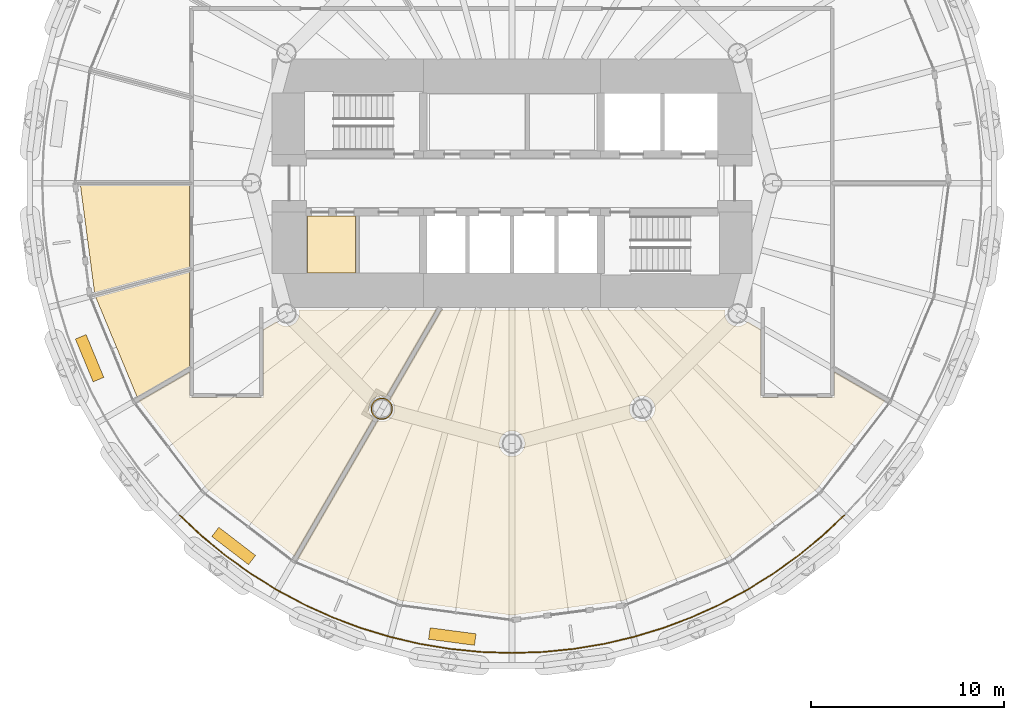
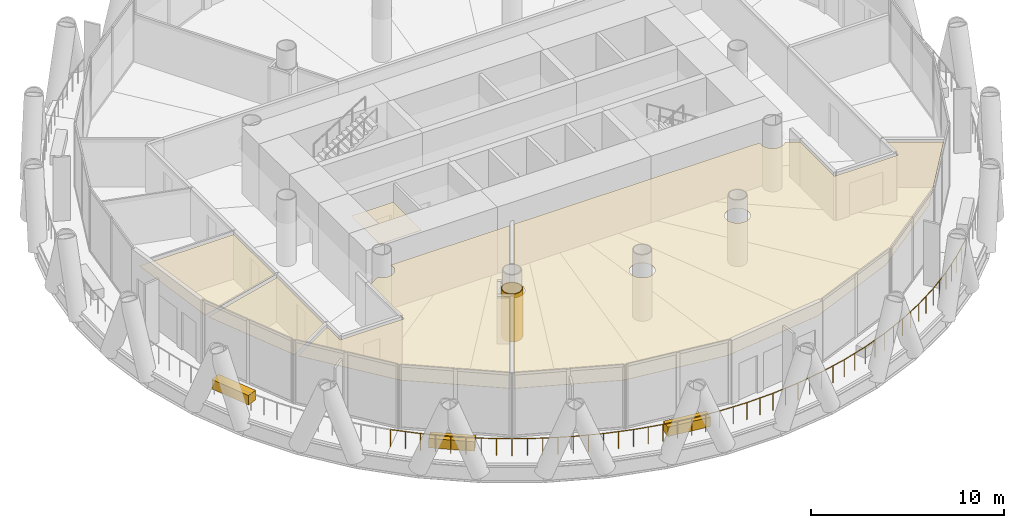
# One storey, part 12 of 15: 9 coverings, 1 railing.
"""IFC4 building model written with IfcOpenShell, lengths in metres."""

from ifc_helpers import new_model, si_unit, direction, frame, origin, origin_2d, place, context, subcontext, project, spatial, polyline, rectangle, circle, outline, extrude, material, layer, layer_set, type_object, element, save


model = new_model("IFC4")

# Units and contexts
model_context = context("Model", 3, precision=1e-05, world=origin(), true_north=direction((0.0, 1.0)))
body_context = subcontext(model_context, "Body", "Model", "MODEL_VIEW")
ifc_project = project(units=[si_unit("LENGTHUNIT", "METRE"), si_unit("AREAUNIT", "SQUARE_METRE"), si_unit("VOLUMEUNIT", "CUBIC_METRE"), si_unit("PLANEANGLEUNIT", "RADIAN"), si_unit("MASSUNIT", "GRAM", prefix="KILO")], contexts=[model_context])

# Site, building, storey
site_placement = place(None, origin())
site = spatial("IfcSite", under=ifc_project, at=site_placement, CompositionType="ELEMENT")
building_placement = place(site_placement, origin())
building = spatial("IfcBuilding", under=site, at=building_placement, Name="Qaws Media Tower", CompositionType="ELEMENT")
storey_placement = place(building_placement, frame((0.0, 0.0, 131.0)))
storey = spatial("IfcBuildingStorey", under=building, at=storey_placement, Name="L29", CompositionType="ELEMENT", Elevation=131.0)

# Railing
ifc_material_1 = material(Name="Stainless steel and glass guard", Category="steel")
railing_type = type_object("IfcRailingType", Name="Balcony guard 1100", PredefinedType="GUARDRAIL", material=ifc_material_1)
railing_placement = place(storey_placement, frame((42.781982421875, 32.781982421875, 0.0)))
element("IfcRailing", 1, at=railing_placement, inside=storey, type_object=railing_type, Name="GR1 balcony guard L29-3", PredefinedType="GUARDRAIL", context=body_context, shape_type="SweptSolid", body=[
    extrude(circle(Radius=0.02392578125, at=origin_2d()), frame((0.0, 0.0, 1.076171875), z_axis=(0.729790398393, -0.683670954783, 0.0), x_axis=(0.683670954783, 0.729790398393, 0.0)), (0.0, 0.0, 1.0), 1.593505859375),
    extrude(circle(Radius=0.02392578125, at=origin_2d()), frame((1.162841796875, -1.08935546875, 1.076171875), z_axis=(0.773096486885, -0.634288437516, 0.0), x_axis=(0.634288437516, 0.773096486885, 0.0)), (0.0, 0.0, 1.0), 1.593505859375),
    extrude(circle(Radius=0.02392578125, at=origin_2d()), frame((2.394775390625, -2.10009765625, 1.076171875), z_axis=(0.812811082119, -0.582527376855, 0.0), x_axis=(0.582527376855, 0.812811082119, 0.0)), (0.0, 0.0, 1.0), 1.593505859375),
    extrude(circle(Radius=0.02392578125, at=origin_2d()), frame((3.68994140625, -3.0283203125, 1.076171875), z_axis=(0.849218470693, -0.528041654639, 0.0), x_axis=(0.528041654639, 0.849218470693, 0.0)), (0.0, 0.0, 1.0), 1.59326171875),
    extrude(circle(Radius=0.02392578125, at=origin_2d()), frame((5.04296875, -3.86962890625, 1.076171875), z_axis=(0.88189872112, -0.471438909814, 0.0), x_axis=(0.471438909814, 0.88189872112, 0.0)), (0.0, 0.0, 1.0), 1.593505859375),
    extrude(circle(Radius=0.02392578125, at=origin_2d()), frame((6.4482421875, -4.620849609375, 1.076171875), z_axis=(0.910843346133, -0.412752224471, 0.0), x_axis=(0.412752224471, 0.910843346133, 0.0)), (0.0, 0.0, 1.0), 1.593505859375),
    extrude(circle(Radius=0.02392578125, at=origin_2d()), frame((7.899658203125, -5.278564453125, 1.076171875), z_axis=(0.935900290014, -0.352265024025, 0.0), x_axis=(0.352265024025, 0.935900290014, 0.0)), (0.0, 0.0, 1.0), 1.59326171875),
    extrude(circle(Radius=0.02392578125, at=origin_2d()), frame((9.390869140625, -5.83984375, 1.076171875), z_axis=(0.956970267007, -0.290185988747, 0.0), x_axis=(0.290185988747, 0.956970267007, 0.0)), (0.0, 0.0, 1.0), 1.593505859375),
    extrude(circle(Radius=0.02392578125, at=origin_2d()), frame((10.915771484375, -6.30224609375, 1.076171875), z_axis=(0.973877363549, -0.227074614975, 0.0), x_axis=(0.227074614975, 0.973877363549, 0.0)), (0.0, 0.0, 1.0), 1.59326171875),
    extrude(circle(Radius=0.02392578125, at=origin_2d()), frame((12.467529296875, -6.6640625, 1.076171875), z_axis=(0.986649445432, -0.162858441071, 0.0), x_axis=(0.162858441071, 0.986649445432, 0.0)), (0.0, 0.0, 1.0), 1.593505859375),
    extrude(circle(Radius=0.02392578125, at=origin_2d()), frame((14.039794921875, -6.923583984375, 1.076171875), z_axis=(0.99518026669, -0.09806241273, 0.0), x_axis=(0.09806241273, 0.99518026669, 0.0)), (0.0, 0.0, 1.0), 1.59326171875),
    extrude(circle(Radius=0.02392578125, at=origin_2d()), frame((15.62548828125, -7.079833984375, 1.076171875), z_axis=(0.9994622847, -0.032789349828, 0.0), x_axis=(0.032789349828, 0.9994622847, 0.0)), (0.0, 0.0, 1.0), 1.593505859375),
    extrude(circle(Radius=0.02392578125, at=origin_2d()), frame((17.218017578125, -7.132080078125, 1.076171875), z_axis=(0.9994622847, 0.032789349828, 0.0), x_axis=(-0.032789349828, 0.9994622847, 0.0)), (0.0, 0.0, 1.0), 1.593505859375),
    extrude(circle(Radius=0.02392578125, at=origin_2d()), frame((18.810546875, -7.079833984375, 1.076171875), z_axis=(0.99518026669, 0.09806241273, 0.0), x_axis=(-0.09806241273, 0.99518026669, 0.0)), (0.0, 0.0, 1.0), 1.59326171875),
    extrude(circle(Radius=0.02392578125, at=origin_2d()), frame((20.396240234375, -6.923583984375, 1.076171875), z_axis=(0.986649445432, 0.162858441071, 0.0), x_axis=(-0.162858441071, 0.986649445432, 0.0)), (0.0, 0.0, 1.0), 1.593505859375),
    extrude(circle(Radius=0.02392578125, at=origin_2d()), frame((21.968505859375, -6.6640625, 1.076171875), z_axis=(0.973877363549, 0.227074614975, 0.0), x_axis=(-0.227074614975, 0.973877363549, 0.0)), (0.0, 0.0, 1.0), 1.59326171875),
    extrude(circle(Radius=0.02392578125, at=origin_2d()), frame((23.520263671875, -6.30224609375, 1.076171875), z_axis=(0.956970267007, 0.290185988747, 0.0), x_axis=(-0.290185988747, 0.956970267007, 0.0)), (0.0, 0.0, 1.0), 1.593505859375),
    extrude(circle(Radius=0.02392578125, at=origin_2d()), frame((25.045166015625, -5.83984375, 1.076171875), z_axis=(0.935900290014, 0.352265024025, 0.0), x_axis=(-0.352265024025, 0.935900290014, 0.0)), (0.0, 0.0, 1.0), 1.59326171875),
    extrude(circle(Radius=0.02392578125, at=origin_2d()), frame((26.536376953125, -5.278564453125, 1.076171875), z_axis=(0.910843346133, 0.412752224471, 0.0), x_axis=(-0.412752224471, 0.910843346133, 0.0)), (0.0, 0.0, 1.0), 1.593505859375),
    extrude(circle(Radius=0.02392578125, at=origin_2d()), frame((27.98779296875, -4.620849609375, 1.076171875), z_axis=(0.88189872112, 0.471438909814, 0.0), x_axis=(-0.471438909814, 0.88189872112, 0.0)), (0.0, 0.0, 1.0), 1.593505859375),
    extrude(circle(Radius=0.02392578125, at=origin_2d()), frame((29.39306640625, -3.86962890625, 1.076171875), z_axis=(0.849218470693, 0.528041654639, 0.0), x_axis=(-0.528041654639, 0.849218470693, 0.0)), (0.0, 0.0, 1.0), 1.59326171875),
    extrude(circle(Radius=0.02392578125, at=origin_2d()), frame((30.74609375, -3.0283203125, 1.076171875), z_axis=(0.812811082119, 0.582527376855, 0.0), x_axis=(-0.582527376855, 0.812811082119, 0.0)), (0.0, 0.0, 1.0), 1.593505859375),
    extrude(circle(Radius=0.02392578125, at=origin_2d()), frame((32.041259765625, -2.10009765625, 1.076171875), z_axis=(0.773096486885, 0.634288437516, 0.0), x_axis=(-0.634288437516, 0.773096486885, 0.0)), (0.0, 0.0, 1.0), 1.593505859375),
    extrude(circle(Radius=0.02392578125, at=origin_2d()), frame((33.273193359375, -1.08935546875, 1.076171875), z_axis=(0.729790398393, 0.683670954783, 0.0), x_axis=(-0.683670954783, 0.729790398393, 0.0)), (0.0, 0.0, 1.0), 1.593505859375),
    extrude(circle(Radius=0.02099609375, at=origin_2d()), origin(), (0.0, 0.0, 1.0), 1.052001953125),
    extrude(circle(Radius=0.02099609375, at=origin_2d()), frame((0.58154296875, -0.544677734375, 0.0)), (0.0, 0.0, 1.0), 1.052001953125),
    extrude(circle(Radius=0.02099609375, at=origin_2d()), frame((1.162841796875, -1.08935546875, 0.0)), (0.0, 0.0, 1.0), 1.052001953125),
    extrude(circle(Radius=0.02099609375, at=origin_2d()), frame((1.77880859375, -1.5947265625, 0.0)), (0.0, 0.0, 1.0), 1.052001953125),
    extrude(circle(Radius=0.02099609375, at=origin_2d()), frame((2.394775390625, -2.10009765625, 0.0)), (0.0, 0.0, 1.0), 1.052001953125),
    extrude(circle(Radius=0.02099609375, at=origin_2d()), frame((3.04248046875, -2.564208984375, 0.0)), (0.0, 0.0, 1.0), 1.052001953125),
    extrude(circle(Radius=0.02099609375, at=origin_2d()), frame((3.68994140625, -3.0283203125, 0.0)), (0.0, 0.0, 1.0), 1.052001953125),
    extrude(circle(Radius=0.02099609375, at=origin_2d()), frame((4.366455078125, -3.448974609375, 0.0)), (0.0, 0.0, 1.0), 1.052001953125),
    extrude(circle(Radius=0.02099609375, at=origin_2d()), frame((5.04296875, -3.86962890625, 0.0)), (0.0, 0.0, 1.0), 1.052001953125),
    extrude(circle(Radius=0.02099609375, at=origin_2d()), frame((5.74560546875, -4.2451171875, 0.0)), (0.0, 0.0, 1.0), 1.052001953125),
    extrude(circle(Radius=0.02099609375, at=origin_2d()), frame((6.4482421875, -4.620849609375, 0.0)), (0.0, 0.0, 1.0), 1.052001953125),
    extrude(circle(Radius=0.02099609375, at=origin_2d()), frame((7.173828125, -4.94970703125, 0.0)), (0.0, 0.0, 1.0), 1.052001953125),
    extrude(circle(Radius=0.02099609375, at=origin_2d()), frame((7.899658203125, -5.278564453125, 0.0)), (0.0, 0.0, 1.0), 1.052001953125),
    extrude(circle(Radius=0.02099609375, at=origin_2d()), frame((8.645263671875, -5.55908203125, 0.0)), (0.0, 0.0, 1.0), 1.052001953125),
    extrude(circle(Radius=0.02099609375, at=origin_2d()), frame((9.390869140625, -5.83984375, 0.0)), (0.0, 0.0, 1.0), 1.052001953125),
    extrude(circle(Radius=0.02099609375, at=origin_2d()), frame((10.1533203125, -6.071044921875, 0.0)), (0.0, 0.0, 1.0), 1.052001953125),
    extrude(circle(Radius=0.02099609375, at=origin_2d()), frame((10.915771484375, -6.30224609375, 0.0)), (0.0, 0.0, 1.0), 1.052001953125),
    extrude(circle(Radius=0.02099609375, at=origin_2d()), frame((11.691650390625, -6.483154296875, 0.0)), (0.0, 0.0, 1.0), 1.052001953125),
    extrude(circle(Radius=0.02099609375, at=origin_2d()), frame((12.467529296875, -6.6640625, 0.0)), (0.0, 0.0, 1.0), 1.052001953125),
    extrude(circle(Radius=0.02099609375, at=origin_2d()), frame((13.253662109375, -6.7939453125, 0.0)), (0.0, 0.0, 1.0), 1.052001953125),
    extrude(circle(Radius=0.02099609375, at=origin_2d()), frame((14.039794921875, -6.923583984375, 0.0)), (0.0, 0.0, 1.0), 1.052001953125),
    extrude(circle(Radius=0.02099609375, at=origin_2d()), frame((14.83251953125, -7.001708984375, 0.0)), (0.0, 0.0, 1.0), 1.052001953125),
    extrude(circle(Radius=0.02099609375, at=origin_2d()), frame((15.62548828125, -7.079833984375, 0.0)), (0.0, 0.0, 1.0), 1.052001953125),
    extrude(circle(Radius=0.02099609375, at=origin_2d()), frame((16.421875, -7.10595703125, 0.0)), (0.0, 0.0, 1.0), 1.052001953125),
    extrude(circle(Radius=0.02099609375, at=origin_2d()), frame((17.218017578125, -7.132080078125, 0.0)), (0.0, 0.0, 1.0), 1.052001953125),
    extrude(circle(Radius=0.02099609375, at=origin_2d()), frame((18.01416015625, -7.10595703125, 0.0)), (0.0, 0.0, 1.0), 1.052001953125),
    extrude(circle(Radius=0.02099609375, at=origin_2d()), frame((18.810546875, -7.079833984375, 0.0)), (0.0, 0.0, 1.0), 1.052001953125),
    extrude(circle(Radius=0.02099609375, at=origin_2d()), frame((19.603515625, -7.001708984375, 0.0)), (0.0, 0.0, 1.0), 1.052001953125),
    extrude(circle(Radius=0.02099609375, at=origin_2d()), frame((20.396240234375, -6.923583984375, 0.0)), (0.0, 0.0, 1.0), 1.052001953125),
    extrude(circle(Radius=0.02099609375, at=origin_2d()), frame((21.182373046875, -6.7939453125, 0.0)), (0.0, 0.0, 1.0), 1.052001953125),
    extrude(circle(Radius=0.02099609375, at=origin_2d()), frame((21.968505859375, -6.6640625, 0.0)), (0.0, 0.0, 1.0), 1.052001953125),
    extrude(circle(Radius=0.02099609375, at=origin_2d()), frame((22.744384765625, -6.483154296875, 0.0)), (0.0, 0.0, 1.0), 1.052001953125),
    extrude(circle(Radius=0.02099609375, at=origin_2d()), frame((23.520263671875, -6.30224609375, 0.0)), (0.0, 0.0, 1.0), 1.052001953125),
    extrude(circle(Radius=0.02099609375, at=origin_2d()), frame((24.28271484375, -6.071044921875, 0.0)), (0.0, 0.0, 1.0), 1.052001953125),
    extrude(circle(Radius=0.02099609375, at=origin_2d()), frame((25.045166015625, -5.83984375, 0.0)), (0.0, 0.0, 1.0), 1.052001953125),
    extrude(circle(Radius=0.02099609375, at=origin_2d()), frame((25.790771484375, -5.55908203125, 0.0)), (0.0, 0.0, 1.0), 1.052001953125),
    extrude(circle(Radius=0.02099609375, at=origin_2d()), frame((26.536376953125, -5.278564453125, 0.0)), (0.0, 0.0, 1.0), 1.052001953125),
    extrude(circle(Radius=0.02099609375, at=origin_2d()), frame((27.26220703125, -4.94970703125, 0.0)), (0.0, 0.0, 1.0), 1.052001953125),
    extrude(circle(Radius=0.02099609375, at=origin_2d()), frame((27.98779296875, -4.620849609375, 0.0)), (0.0, 0.0, 1.0), 1.052001953125),
    extrude(circle(Radius=0.02099609375, at=origin_2d()), frame((28.6904296875, -4.2451171875, 0.0)), (0.0, 0.0, 1.0), 1.052001953125),
    extrude(circle(Radius=0.02099609375, at=origin_2d()), frame((29.39306640625, -3.86962890625, 0.0)), (0.0, 0.0, 1.0), 1.052001953125),
    extrude(circle(Radius=0.02099609375, at=origin_2d()), frame((30.069580078125, -3.448974609375, 0.0)), (0.0, 0.0, 1.0), 1.052001953125),
    extrude(circle(Radius=0.02099609375, at=origin_2d()), frame((30.74609375, -3.0283203125, 0.0)), (0.0, 0.0, 1.0), 1.052001953125),
    extrude(circle(Radius=0.02099609375, at=origin_2d()), frame((31.3935546875, -2.564208984375, 0.0)), (0.0, 0.0, 1.0), 1.052001953125),
    extrude(circle(Radius=0.02099609375, at=origin_2d()), frame((32.041259765625, -2.10009765625, 0.0)), (0.0, 0.0, 1.0), 1.052001953125),
    extrude(circle(Radius=0.02099609375, at=origin_2d()), frame((32.6572265625, -1.5947265625, 0.0)), (0.0, 0.0, 1.0), 1.052001953125),
    extrude(circle(Radius=0.02099609375, at=origin_2d()), frame((33.273193359375, -1.08935546875, 0.0)), (0.0, 0.0, 1.0), 1.052001953125),
    extrude(circle(Radius=0.02099609375, at=origin_2d()), frame((33.8544921875, -0.544677734375, 0.0)), (0.0, 0.0, 1.0), 1.052001953125),
    extrude(circle(Radius=0.02099609375, at=origin_2d()), frame((34.43603515625, 0.0, 0.0)), (0.0, 0.0, 1.0), 1.052001953125),
])

# Coverings
ifc_material_2 = material(Name="Two layers 15 fire-rated gypsum board on steel framing", Category="steel")
ifc_layer_1 = layer(ifc_material_2, 0.050048828125)
ifc_layer_set_1 = layer_set([ifc_layer_1], Name="Column fire casing")
covering_type_1 = type_object("IfcCoveringType", Name="Column fire casing", PredefinedType="CLADDING", material=ifc_layer_set_1)
covering_1_placement = place(storey_placement, origin())
element("IfcCovering", 2, at=covering_1_placement, inside=storey, type_object=covering_type_1, Name="CC1 column casing L29", PredefinedType="CLADDING", context=body_context, shape_type="SweptSolid", body=[
    extrude(outline(polyline([(53.81298828125, 38.30859375), (53.80810546875, 38.235107421875), (53.793701171875, 38.162841796875), (53.77001953125, 38.09326171875), (53.737548828125, 38.027099609375), (53.69677734375, 37.9658203125), (53.648193359375, 37.91064453125), (53.5927734375, 37.862060546875), (53.531494140625, 37.821044921875), (53.465576171875, 37.78857421875), (53.395751953125, 37.764892578125), (53.323486328125, 37.75048828125), (53.25, 37.74560546875), (53.176513671875, 37.75048828125), (53.104248046875, 37.764892578125), (53.034423828125, 37.78857421875), (52.968505859375, 37.821044921875), (52.9072265625, 37.862060546875), (52.851806640625, 37.91064453125), (52.80322265625, 37.9658203125), (52.762451171875, 38.027099609375), (52.72998046875, 38.09326171875), (52.706298828125, 38.162841796875), (52.69189453125, 38.235107421875), (52.68701171875, 38.30859375), (52.69189453125, 38.382080078125), (52.706298828125, 38.454345703125), (52.72998046875, 38.524169921875), (52.762451171875, 38.590087890625), (52.80322265625, 38.6513671875), (52.851806640625, 38.706787109375), (52.9072265625, 38.75537109375), (52.968505859375, 38.796142578125), (53.034423828125, 38.828857421875), (53.104248046875, 38.8525390625), (53.176513671875, 38.86669921875), (53.25, 38.87158203125), (53.323486328125, 38.86669921875), (53.395751953125, 38.8525390625), (53.465576171875, 38.828857421875), (53.531494140625, 38.796142578125), (53.5927734375, 38.75537109375), (53.648193359375, 38.706787109375), (53.69677734375, 38.6513671875), (53.737548828125, 38.590087890625), (53.77001953125, 38.524169921875), (53.793701171875, 38.454345703125), (53.80810546875, 38.382080078125), (53.81298828125, 38.30859375)]), holes=[polyline([(53.760986328125, 38.30859375), (53.756591796875, 38.241943359375), (53.74365234375, 38.176513671875), (53.72216796875, 38.113037109375), (53.6923828125, 38.05322265625), (53.655517578125, 37.99755859375), (53.611328125, 37.947265625), (53.56103515625, 37.9033203125), (53.505615234375, 37.8662109375), (53.445556640625, 37.836669921875), (53.38232421875, 37.815185546875), (53.316650390625, 37.802001953125), (53.25, 37.797607421875), (53.183349609375, 37.802001953125), (53.11767578125, 37.815185546875), (53.054443359375, 37.836669921875), (52.994384765625, 37.8662109375), (52.93896484375, 37.9033203125), (52.888671875, 37.947265625), (52.844482421875, 37.99755859375), (52.8076171875, 38.05322265625), (52.77783203125, 38.113037109375), (52.75634765625, 38.176513671875), (52.743408203125, 38.241943359375), (52.739013671875, 38.30859375), (52.743408203125, 38.37548828125), (52.75634765625, 38.44091796875), (52.77783203125, 38.504150390625), (52.8076171875, 38.564208984375), (52.844482421875, 38.61962890625), (52.888671875, 38.669921875), (52.93896484375, 38.714111328125), (52.994384765625, 38.751220703125), (53.054443359375, 38.78076171875), (53.11767578125, 38.80224609375), (53.183349609375, 38.815185546875), (53.25, 38.819580078125), (53.316650390625, 38.815185546875), (53.38232421875, 38.80224609375), (53.445556640625, 38.78076171875), (53.505615234375, 38.751220703125), (53.56103515625, 38.714111328125), (53.611328125, 38.669921875), (53.655517578125, 38.61962890625), (53.6923828125, 38.564208984375), (53.72216796875, 38.504150390625), (53.74365234375, 38.44091796875), (53.756591796875, 38.37548828125), (53.760986328125, 38.30859375)])]), origin(), (0.0, 0.0, 1.0), 3.02001953125),
])
ifc_material_3 = material(Name="600 x 600 mineral fibre tiles in exposed grid, suspended", Category="mineral fibre")
ifc_layer_2 = layer(ifc_material_3, 0.02001953125)
ifc_layer_set_2 = layer_set([ifc_layer_2], Name="Mineral fibre tile ceiling 20")
covering_type_2 = type_object("IfcCoveringType", Name="Mineral fibre tile ceiling 20", PredefinedType="CEILING", material=ifc_layer_set_2)
covering_2_placement = place(storey_placement, frame((0.0, 0.0, 2.85009765625)))
element("IfcCovering", 3, at=covering_2_placement, inside=storey, type_object=covering_type_2, Name="CL1 ceiling L29-06 Office", PredefinedType="CEILING", context=body_context, shape_type="SweptSolid", body=[
    extrude(outline(polyline([(37.629638671875, 49.887451171875), (43.28759765625, 49.887451171875), (43.28759765625, 45.638427734375), (38.36279296875, 44.31884765625), (37.629638671875, 49.887451171875)])), origin(), (0.0, 0.0, 1.0), 0.02001953125),
])
covering_3_placement = place(storey_placement, frame((0.0, 0.0, 2.85009765625)))
element("IfcCovering", 4, at=covering_3_placement, inside=storey, type_object=covering_type_2, Name="CL1 ceiling L29-07 Office", PredefinedType="CEILING", context=body_context, shape_type="SweptSolid", body=[
    extrude(outline(polyline([(38.4208984375, 44.101318359375), (43.28759765625, 45.405517578125), (43.28759765625, 40.48095703125), (40.5703125, 38.912109375), (38.4208984375, 44.101318359375)])), origin(), (0.0, 0.0, 1.0), 0.02001953125),
])
covering_4_placement = place(storey_placement, frame((0.0, 0.0, 2.85009765625)))
element("IfcCovering", 5, at=covering_4_placement, inside=storey, type_object=covering_type_2, Name="CL1 ceiling L29-08 Finance office", PredefinedType="CEILING", context=body_context, shape_type="SweptSolid", body=[
    extrude(outline(polyline([(44.171142578125, 34.171142578125), (40.682861328125, 38.71728515625), (43.28759765625, 40.22119140625), (43.28759765625, 38.887451171875), (47.112548828125, 38.887451171875), (47.112548828125, 42.429443359375), (47.795654296875, 42.823974609375), (47.836181640625, 42.777587890625), (47.902099609375, 42.719970703125), (47.974609375, 42.67138671875), (48.052978515625, 42.6328125), (48.1357421875, 42.604736328125), (48.221435546875, 42.587646484375), (48.30859375, 42.58203125), (48.395751953125, 42.587646484375), (48.4814453125, 42.604736328125), (48.564208984375, 42.6328125), (48.642578125, 42.67138671875), (48.71533203125, 42.719970703125), (48.781005859375, 42.777587890625), (48.838623046875, 42.84326171875), (48.88720703125, 42.916015625), (48.92578125, 42.994384765625), (48.953857421875, 43.0771484375), (48.970947265625, 43.162841796875), (48.976806640625, 43.25), (48.970947265625, 43.337158203125), (48.953857421875, 43.4228515625), (48.948974609375, 43.4375), (56.081298828125, 43.4375), (53.481201171875, 38.93408203125), (53.4228515625, 38.953857421875), (53.337158203125, 38.970947265625), (53.25, 38.976806640625), (53.162841796875, 38.970947265625), (53.0771484375, 38.953857421875), (52.994384765625, 38.92578125), (52.916015625, 38.88720703125), (52.84326171875, 38.838623046875), (52.777587890625, 38.781005859375), (52.719970703125, 38.71533203125), (52.67138671875, 38.642578125), (52.6328125, 38.564208984375), (52.604736328125, 38.4814453125), (52.587646484375, 38.395751953125), (52.58203125, 38.30859375), (52.587646484375, 38.221435546875), (52.604736328125, 38.1357421875), (52.6328125, 38.052978515625), (52.67138671875, 37.974609375), (52.719970703125, 37.902099609375), (52.777587890625, 37.836181640625), (52.823974609375, 37.795654296875), (48.71728515625, 30.682861328125), (44.171142578125, 34.171142578125)])), origin(), (0.0, 0.0, 1.0), 0.02001953125),
])
covering_5_placement = place(storey_placement, frame((0.0, 0.0, 2.85009765625)))
element("IfcCovering", 6, at=covering_5_placement, inside=storey, type_object=covering_type_2, Name="CL1 ceiling L29-09 Finance office", PredefinedType="CEILING", context=body_context, shape_type="SweptSolid", body=[
    extrude(outline(polyline([(72.887451171875, 38.887451171875), (76.71240234375, 38.887451171875), (76.71240234375, 40.22119140625), (79.317138671875, 38.71728515625), (75.828857421875, 34.171142578125), (71.192626953125, 30.61376953125), (65.793701171875, 28.37744140625), (60.0, 27.61474609375), (54.206298828125, 28.37744140625), (48.912109375, 30.5703125), (53.018798828125, 37.68310546875), (53.0771484375, 37.663330078125), (53.162841796875, 37.646484375), (53.25, 37.640625), (53.337158203125, 37.646484375), (53.4228515625, 37.663330078125), (53.505615234375, 37.69140625), (53.583984375, 37.730224609375), (53.65673828125, 37.77880859375), (53.722412109375, 37.836181640625), (53.780029296875, 37.902099609375), (53.82861328125, 37.974609375), (53.8671875, 38.052978515625), (53.895263671875, 38.1357421875), (53.912353515625, 38.221435546875), (53.91796875, 38.30859375), (53.912353515625, 38.395751953125), (53.895263671875, 38.4814453125), (53.8671875, 38.564208984375), (53.82861328125, 38.642578125), (53.780029296875, 38.71533203125), (53.722412109375, 38.781005859375), (53.676025390625, 38.821533203125), (56.341064453125, 43.4375), (71.051025390625, 43.4375), (71.046142578125, 43.4228515625), (71.029052734375, 43.337158203125), (71.023193359375, 43.25), (71.029052734375, 43.162841796875), (71.046142578125, 43.0771484375), (71.07421875, 42.994384765625), (71.11279296875, 42.916015625), (71.161376953125, 42.84326171875), (71.218994140625, 42.777587890625), (71.28466796875, 42.719970703125), (71.357421875, 42.67138671875), (71.435791015625, 42.6328125), (71.5185546875, 42.604736328125), (71.604248046875, 42.587646484375), (71.69140625, 42.58203125), (71.778564453125, 42.587646484375), (71.8642578125, 42.604736328125), (71.947021484375, 42.6328125), (72.025390625, 42.67138671875), (72.097900390625, 42.719970703125), (72.163818359375, 42.777587890625), (72.204345703125, 42.823974609375), (72.887451171875, 42.429443359375), (72.887451171875, 38.887451171875)]), holes=[polyline([(60.645263671875, 36.3271484375), (60.662353515625, 36.412841796875), (60.66796875, 36.5), (60.662353515625, 36.587158203125), (60.645263671875, 36.6728515625), (60.6171875, 36.755615234375), (60.57861328125, 36.833984375), (60.530029296875, 36.90673828125), (60.472412109375, 36.972412109375), (60.40673828125, 37.030029296875), (60.333984375, 37.07861328125), (60.255615234375, 37.1171875), (60.1728515625, 37.145263671875), (60.087158203125, 37.162353515625), (60.0, 37.16796875), (59.912841796875, 37.162353515625), (59.8271484375, 37.145263671875), (59.744384765625, 37.1171875), (59.666015625, 37.07861328125), (59.59326171875, 37.030029296875), (59.527587890625, 36.972412109375), (59.469970703125, 36.90673828125), (59.42138671875, 36.833984375), (59.3828125, 36.755615234375), (59.354736328125, 36.6728515625), (59.337646484375, 36.587158203125), (59.33203125, 36.5), (59.337646484375, 36.412841796875), (59.354736328125, 36.3271484375), (59.3828125, 36.244384765625), (59.42138671875, 36.166015625), (59.469970703125, 36.09326171875), (59.527587890625, 36.027587890625), (59.59326171875, 35.969970703125), (59.666015625, 35.92138671875), (59.744384765625, 35.8828125), (59.8271484375, 35.854736328125), (59.912841796875, 35.837646484375), (60.0, 35.83203125), (60.087158203125, 35.837646484375), (60.1728515625, 35.854736328125), (60.255615234375, 35.8828125), (60.333984375, 35.92138671875), (60.40673828125, 35.969970703125), (60.472412109375, 36.027587890625), (60.530029296875, 36.09326171875), (60.57861328125, 36.166015625), (60.6171875, 36.244384765625), (60.645263671875, 36.3271484375)]), polyline([(67.3671875, 38.052978515625), (67.395263671875, 38.1357421875), (67.412353515625, 38.221435546875), (67.41796875, 38.30859375), (67.412353515625, 38.395751953125), (67.395263671875, 38.4814453125), (67.3671875, 38.564208984375), (67.32861328125, 38.642578125), (67.280029296875, 38.71533203125), (67.222412109375, 38.781005859375), (67.15673828125, 38.838623046875), (67.083984375, 38.88720703125), (67.005615234375, 38.92578125), (66.9228515625, 38.953857421875), (66.837158203125, 38.970947265625), (66.75, 38.976806640625), (66.662841796875, 38.970947265625), (66.5771484375, 38.953857421875), (66.494384765625, 38.92578125), (66.416015625, 38.88720703125), (66.34326171875, 38.838623046875), (66.277587890625, 38.781005859375), (66.219970703125, 38.71533203125), (66.17138671875, 38.642578125), (66.1328125, 38.564208984375), (66.104736328125, 38.4814453125), (66.087646484375, 38.395751953125), (66.08203125, 38.30859375), (66.087646484375, 38.221435546875), (66.104736328125, 38.1357421875), (66.1328125, 38.052978515625), (66.17138671875, 37.974609375), (66.219970703125, 37.902099609375), (66.277587890625, 37.836181640625), (66.34326171875, 37.77880859375), (66.416015625, 37.730224609375), (66.494384765625, 37.69140625), (66.5771484375, 37.663330078125), (66.662841796875, 37.646484375), (66.75, 37.640625), (66.837158203125, 37.646484375), (66.9228515625, 37.663330078125), (67.005615234375, 37.69140625), (67.083984375, 37.730224609375), (67.15673828125, 37.77880859375), (67.222412109375, 37.836181640625), (67.280029296875, 37.902099609375), (67.32861328125, 37.974609375), (67.3671875, 38.052978515625)])]), origin(), (0.0, 0.0, 1.0), 0.02001953125),
])
covering_6_placement = place(storey_placement, frame((0.0, 0.0, 2.85009765625)))
element("IfcCovering", 7, at=covering_6_placement, inside=storey, type_object=covering_type_2, Name="CL1 ceiling L29-C04 Shower room", PredefinedType="CEILING", context=body_context, shape_type="SweptSolid", body=[
    extrude(outline(polyline([(49.39990234375, 45.35009765625), (49.39990234375, 48.300048828125), (51.89990234375, 48.300048828125), (51.89990234375, 45.35009765625), (49.39990234375, 45.35009765625)])), origin(), (0.0, 0.0, 1.0), 0.02001953125),
])
ifc_material_4 = material(Name="Precast concrete planter with trailing planting", Category="concrete")
ifc_layer_3 = layer(ifc_material_4, 0.60009765625)
ifc_layer_set_3 = layer_set([ifc_layer_3], Name="Planter 2400x600")
covering_type_3 = type_object("IfcCoveringType", Name="Planter 2400x600", PredefinedType="USERDEFINED", material=ifc_layer_set_3)
for number, where, z_axis, x_axis, name in (
    (8, (38.10400390625, 40.930419921875, 0.0), (0.0, 0.0, 1.0), (0.382683432365, -0.923879532511, 0.0), "PL1 balcony planter L29-07"),
    (9, (45.572265625, 31.197509765625, 0.0), (0.0, 0.0, 1.0), (0.793353340291, -0.608761429009, 0.0), "PL1 balcony planter L29-08"),
    (10, (56.906494140625, 26.502685546875, 0.0), (0.0, 0.0, 1.0), (0.991444861374, -0.13052619222, 0.0), "PL1 balcony planter L29-09"),
):
    element("IfcCovering", number, at=place(storey_placement, frame(where, z_axis=z_axis, x_axis=x_axis)), inside=storey, type_object=covering_type_3, Name=name, ObjectType="PLANTER", PredefinedType="USERDEFINED", context=body_context, shape_type="SweptSolid", body=[
        extrude(rectangle(XDim=2.39990234375, YDim=0.60009765625, at=origin_2d()), origin(), (0.0, 0.0, 1.0), 0.60009765625),
    ])

save(model, "model.ifc")
